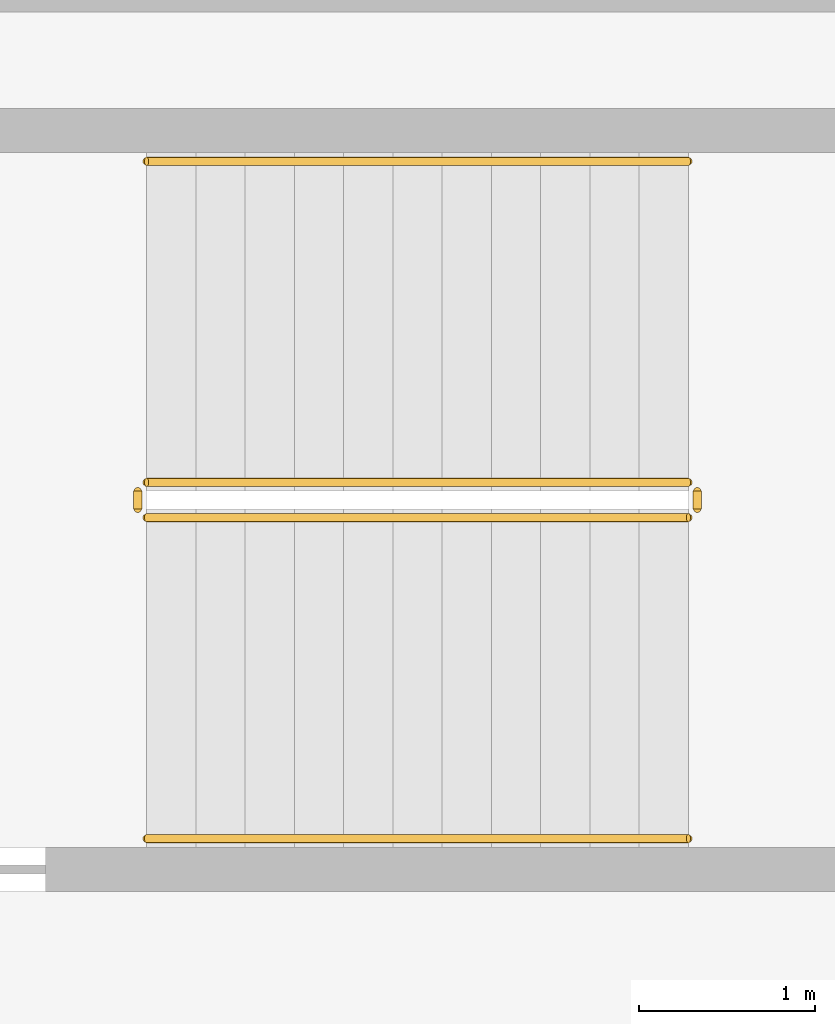
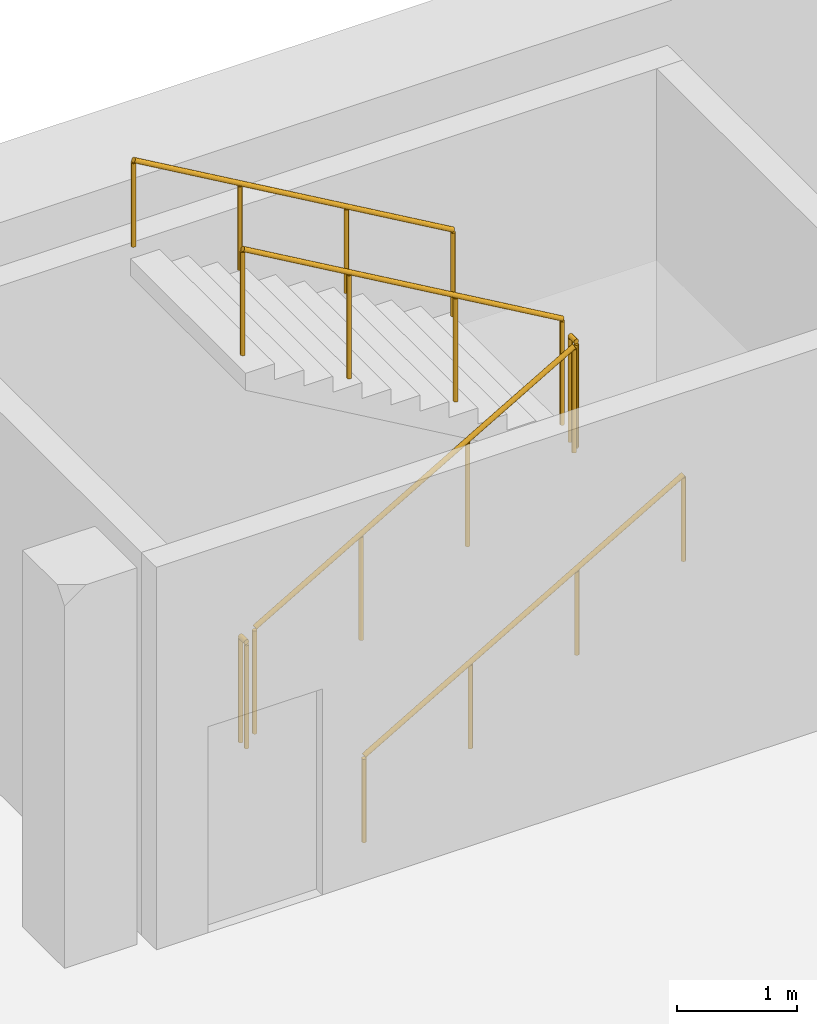
# One storey, part 25 of 25: 6 railings.
"""IFC4 building model written with IfcOpenShell, lengths in metres."""

from ifc_helpers import new_model, si_unit, direction, frame, origin, origin_2d, place, context, subcontext, project, spatial, circle, extrude, material, type_object, element, save


model = new_model("IFC4")

# Units and contexts
model_context = context("Model", 3, precision=1e-05, world=origin(), true_north=direction((0.0, 1.0)))
body_context = subcontext(model_context, "Body", "Model", "MODEL_VIEW")
ifc_project = project(units=[si_unit("LENGTHUNIT", "METRE"), si_unit("AREAUNIT", "SQUARE_METRE"), si_unit("VOLUMEUNIT", "CUBIC_METRE"), si_unit("PLANEANGLEUNIT", "RADIAN"), si_unit("MASSUNIT", "GRAM", prefix="KILO")], contexts=[model_context])

# Site, building, storey
site_placement = place(None, origin())
site = spatial("IfcSite", under=ifc_project, at=site_placement, CompositionType="ELEMENT")
building_placement = place(site_placement, origin())
building = spatial("IfcBuilding", under=site, at=building_placement, Name="Verdalira Terraces Hotel", CompositionType="ELEMENT")
storey_placement = place(building_placement, frame((0.0, 0.0, -3.899902)))
storey = spatial("IfcBuildingStorey", under=building, at=storey_placement, Name="B1", CompositionType="ELEMENT", Elevation=-3.89990234375)

# Railings
ifc_material_1 = material(Name="Stainless steel", Category="steel")
railing_type_1 = type_object("IfcRailingType", Name="Stair guard 1100", PredefinedType="GUARDRAIL", material=ifc_material_1)
railing_1_placement = place(storey_placement, frame((22.225098, 50.125, 0.162354)))
element("IfcRailing", 1, at=railing_1_placement, inside=storey, type_object=railing_type_1, Name="B1 Basement stair 3 stair guard 1", PredefinedType="GUARDRAIL", context=body_context, shape_type="SweptSolid", body=[
    extrude(circle(Radius=0.023926, at=origin_2d()), frame((0.0, 0.0, 1.076172), z_axis=(0.864873446, 0.0, 0.501989962), x_axis=(0.0, 1.0, 0.0)), (0.0, 0.0, 1.0), 3.561035),
    extrude(circle(Radius=0.020996, at=origin_2d()), origin(), (0.0, 0.0, 1.0), 1.052002),
    extrude(circle(Radius=0.020996, at=origin_2d()), frame((1.026611, 0.0, 0.595947)), (0.0, 0.0, 1.0), 1.052002),
    extrude(circle(Radius=0.020996, at=origin_2d()), frame((2.053223, 0.0, 1.19165)), (0.0, 0.0, 1.0), 1.052002),
    extrude(circle(Radius=0.020996, at=origin_2d()), frame((3.079834, 0.0, 1.787598)), (0.0, 0.0, 1.0), 1.052002),
])
railing_2_placement = place(storey_placement, frame((25.35498, 50.175049, 1.949951)))
element("IfcRailing", 2, at=railing_2_placement, inside=storey, type_object=railing_type_1, Name="B1 Basement stair 3 stair guard 2", PredefinedType="GUARDRAIL", context=body_context, shape_type="SweptSolid", body=[
    extrude(circle(Radius=0.023926, at=origin_2d()), frame((0.0, 0.0, 1.076172), z_axis=(0.0, 1.0, 0.0), x_axis=(-1.0, 0.0, 0.0)), (0.0, 0.0, 1.0), 0.099854),
    extrude(circle(Radius=0.020996, at=origin_2d()), origin(), (0.0, 0.0, 1.0), 1.052002),
    extrude(circle(Radius=0.020996, at=origin_2d()), frame((0.0, 0.099854, 0.0)), (0.0, 0.0, 1.0), 1.052002),
])
railing_3_placement = place(storey_placement, frame((25.304932, 50.324951, 2.112305)))
element("IfcRailing", 3, at=railing_3_placement, inside=storey, type_object=railing_type_1, Name="B1 Basement stair 3 stair guard 3", PredefinedType="GUARDRAIL", context=body_context, shape_type="SweptSolid", body=[
    extrude(circle(Radius=0.023926, at=origin_2d()), frame((0.0, 0.0, 1.076172), z_axis=(-0.864873446, 0.0, 0.501989962), x_axis=(0.0, -1.0, 0.0)), (0.0, 0.0, 1.0), 3.561035),
    extrude(circle(Radius=0.020996, at=origin_2d()), origin(), (0.0, 0.0, 1.0), 1.052002),
    extrude(circle(Radius=0.020996, at=origin_2d()), frame((-1.026611, 0.0, 0.595947)), (0.0, 0.0, 1.0), 1.052002),
    extrude(circle(Radius=0.020996, at=origin_2d()), frame((-2.053223, 0.0, 1.19165)), (0.0, 0.0, 1.0), 1.052002),
    extrude(circle(Radius=0.020996, at=origin_2d()), frame((-3.079834, 0.0, 1.787598)), (0.0, 0.0, 1.0), 1.052002),
])
railing_4_placement = place(storey_placement, frame((22.175049, 50.175049, 0.0)))
element("IfcRailing", 4, at=railing_4_placement, inside=storey, type_object=railing_type_1, Name="B1 Basement stair 3 stair guard 4", PredefinedType="GUARDRAIL", context=body_context, shape_type="SweptSolid", body=[
    extrude(circle(Radius=0.023926, at=origin_2d()), frame((0.0, 0.0, 1.076172), z_axis=(0.0, 1.0, 0.0), x_axis=(-1.0, 0.0, 0.0)), (0.0, 0.0, 1.0), 0.099854),
    extrude(circle(Radius=0.020996, at=origin_2d()), origin(), (0.0, 0.0, 1.0), 1.052002),
    extrude(circle(Radius=0.020996, at=origin_2d()), frame((0.0, 0.099854, 0.0)), (0.0, 0.0, 1.0), 1.052002),
])
ifc_material_2 = material(Name="Stainless steel", Category="steel")
railing_type_2 = type_object("IfcRailingType", Name="Stair handrail 900", PredefinedType="HANDRAIL", material=ifc_material_2)
railing_5_placement = place(storey_placement, frame((22.225098, 48.300049, 0.162354)))
element("IfcRailing", 5, at=railing_5_placement, inside=storey, type_object=railing_type_2, Name="B1 Basement stair 3 stair handrail 1", PredefinedType="HANDRAIL", context=body_context, shape_type="SweptSolid", body=[
    extrude(circle(Radius=0.023926, at=origin_2d()), frame((0.0, 0.0, 0.875977), z_axis=(0.864873446, 0.0, 0.501989962), x_axis=(0.0, 1.0, 0.0)), (0.0, 0.0, 1.0), 3.561035),
    extrude(circle(Radius=0.020996, at=origin_2d()), origin(), (0.0, 0.0, 1.0), 0.851807),
    extrude(circle(Radius=0.020996, at=origin_2d()), frame((1.026611, 0.0, 0.595947)), (0.0, 0.0, 1.0), 0.851807),
    extrude(circle(Radius=0.020996, at=origin_2d()), frame((2.053223, 0.0, 1.19165)), (0.0, 0.0, 1.0), 0.851807),
    extrude(circle(Radius=0.020996, at=origin_2d()), frame((3.079834, 0.0, 1.787598)), (0.0, 0.0, 1.0), 0.851807),
])
railing_6_placement = place(storey_placement, frame((25.304932, 52.149902, 2.112305)))
element("IfcRailing", 6, at=railing_6_placement, inside=storey, type_object=railing_type_2, Name="B1 Basement stair 3 stair handrail 2", PredefinedType="HANDRAIL", context=body_context, shape_type="SweptSolid", body=[
    extrude(circle(Radius=0.023926, at=origin_2d()), frame((0.0, 0.0, 0.875977), z_axis=(-0.864873446, 0.0, 0.501989962), x_axis=(0.0, -1.0, 0.0)), (0.0, 0.0, 1.0), 3.561035),
    extrude(circle(Radius=0.020996, at=origin_2d()), origin(), (0.0, 0.0, 1.0), 0.851807),
    extrude(circle(Radius=0.020996, at=origin_2d()), frame((-1.026611, 0.0, 0.595947)), (0.0, 0.0, 1.0), 0.851807),
    extrude(circle(Radius=0.020996, at=origin_2d()), frame((-2.053223, 0.0, 1.19165)), (0.0, 0.0, 1.0), 0.851807),
    extrude(circle(Radius=0.020996, at=origin_2d()), frame((-3.079834, 0.0, 1.787598)), (0.0, 0.0, 1.0), 0.851807),
])

save(model, "model.ifc")
